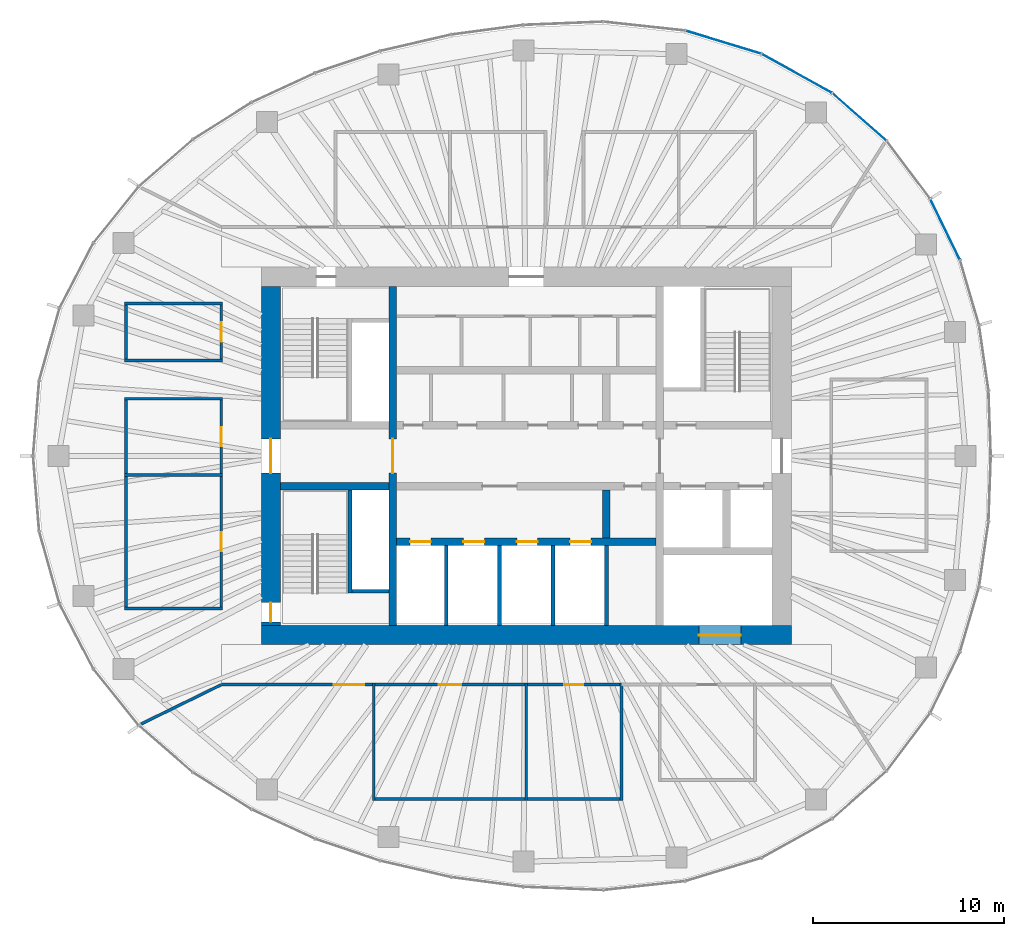
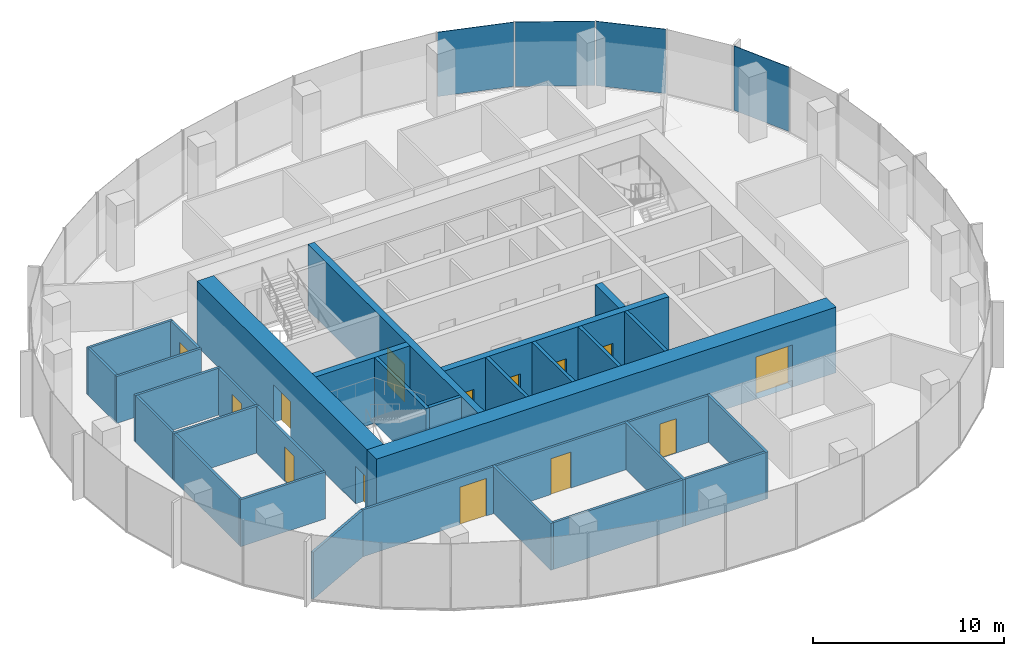
# One storey, part 8 of 11: 32 walls, 14 doors, 4 plates, 14 openings, 3 elements without a shape of their own.
"""IFC4 building model written with IfcOpenShell, lengths in metres."""

from ifc_helpers import new_model, si_unit, direction, frame, frame_2d, origin, origin_2d, place, context, subcontext, project, spatial, rectangle, extrude, material, layer, layer_set, type_object, element, fill, aggregate, save


model = new_model("IFC4")

# Units and contexts
model_context = context("Model", 3, precision=1e-05, world=origin(), true_north=direction((0.0, 1.0)))
body_context = subcontext(model_context, "Body", "Model", "MODEL_VIEW")
ifc_project = project(units=[si_unit("LENGTHUNIT", "METRE"), si_unit("AREAUNIT", "SQUARE_METRE"), si_unit("VOLUMEUNIT", "CUBIC_METRE"), si_unit("PLANEANGLEUNIT", "RADIAN"), si_unit("MASSUNIT", "GRAM", prefix="KILO")], contexts=[model_context])

# Site, building, storey
site_placement = place(None, origin())
site = spatial("IfcSite", under=ifc_project, at=site_placement, CompositionType="ELEMENT")
building_placement = place(site_placement, origin())
building = spatial("IfcBuilding", under=site, at=building_placement, Name="Ghaith Harvest Tower", CompositionType="ELEMENT")
storey_placement = place(building_placement, frame((0.0, 0.0, 283.800048828125)))
storey = spatial("IfcBuildingStorey", under=building, at=storey_placement, Name="L63", CompositionType="ELEMENT", Elevation=283.800048828125)

# Curtain wall, plate
ifc_material_1 = material(Name="Black anodised aluminium and fritted glass", Category="aluminium")
curtain_wall_type = type_object("IfcCurtainWallType", Name="CW-T CURTAIN WALL", PredefinedType="NOTDEFINED", material=ifc_material_1)
curtain_wall_1_placement = place(storey_placement, origin())
curtain_wall_1 = element("IfcCurtainWall", 1, at=curtain_wall_1_placement, inside=storey, type_object=curtain_wall_type, Name="Curtain wall CW-T bay 02 L63", PredefinedType="NOTDEFINED")
ifc_material_2 = material(Name="Glass, dark solar-control fritted double glazed unit", Category="glass")
ifc_layer_1 = layer(ifc_material_2, 0.033935546875)
ifc_layer_set_1 = layer_set([ifc_layer_1], Name="CW-T VISION PANEL")
plate_type = type_object("IfcPlateType", Name="CW-T VISION PANEL", PredefinedType="CURTAIN_PANEL", material=ifc_layer_set_1)
plate_1_placement = place(storey_placement, frame((21.9716796875, 11.878662109375, 0.079833984375), z_axis=(0.0, 0.0, 1.0), x_axis=(-0.437968365148, 0.898990384337, 0.0)))
plate_1 = element("IfcPlate", 2, at=plate_1_placement, type_object=plate_type, Name="CW-T glass unit 2 bay 02 L63", PredefinedType="CURTAIN_PANEL", context=body_context, shape_type="SweptSolid", body=[
    extrude(rectangle(XDim=3.49365234375, YDim=0.033935546875, at=origin_2d()), origin(), (0.0, 0.0, 1.0), 4.1201171875),
])
aggregate(curtain_wall_1, [plate_1])

curtain_wall_2_placement = place(storey_placement, origin())
curtain_wall_2 = element("IfcCurtainWall", 3, at=curtain_wall_2_placement, inside=storey, type_object=curtain_wall_type, Name="Curtain wall CW-T bay 03 L63", PredefinedType="NOTDEFINED")
plate_2_placement = place(storey_placement, frame((17.47509765625, 17.779541015625, 0.079833984375), z_axis=(0.0, 0.0, 1.0), x_axis=(-0.751334532416, 0.659921525941, 0.0)))
plate_2 = element("IfcPlate", 4, at=plate_2_placement, type_object=plate_type, Name="CW-T glass unit 2 bay 03 L63", PredefinedType="CURTAIN_PANEL", context=body_context, shape_type="SweptSolid", body=[
    extrude(rectangle(XDim=3.7158203125, YDim=0.033935546875, at=origin_2d()), origin(), (0.0, 0.0, 1.0), 4.1201171875),
])
aggregate(curtain_wall_2, [plate_2])

# Curtain wall, plates
curtain_wall_3_placement = place(storey_placement, origin())
curtain_wall_3 = element("IfcCurtainWall", 5, at=curtain_wall_3_placement, inside=storey, type_object=curtain_wall_type, Name="Curtain wall CW-T bay 04 L63", PredefinedType="NOTDEFINED")
plate_3_placement = place(storey_placement, frame((14.19189453125, 20.06201171875, 0.079833984375), z_axis=(0.0, 0.0, 1.0), x_axis=(-0.87456402291, 0.484910063653, 0.0)))
plate_3 = element("IfcPlate", 6, at=plate_3_placement, type_object=plate_type, Name="CW-T glass unit 1 bay 04 L63", PredefinedType="CURTAIN_PANEL", context=body_context, shape_type="SweptSolid", body=[
    extrude(rectangle(XDim=4.167724609375, YDim=0.033935546875, at=origin_2d()), origin(), (0.0, 0.0, 1.0), 4.1201171875),
])
plate_4_placement = place(storey_placement, frame((10.337158203125, 21.700439453125, 0.079833984375), z_axis=(0.0, 0.0, 1.0), x_axis=(-0.956587736124, 0.291444511181, 0.0)))
plate_4 = element("IfcPlate", 7, at=plate_4_placement, type_object=plate_type, Name="CW-T glass unit 2 bay 04 L63", PredefinedType="CURTAIN_PANEL", context=body_context, shape_type="SweptSolid", body=[
    extrude(rectangle(XDim=4.095703125, YDim=0.033935546875, at=origin_2d()), origin(), (0.0, 0.0, 1.0), 4.1201171875),
])
aggregate(curtain_wall_3, [plate_3, plate_4])

# Wall, opening, door
ifc_material_3 = material(Name="Concrete C50/60", Category="concrete")
ifc_layer_2 = layer(ifc_material_3, 1.0)
ifc_layer_set_2 = layer_set([ifc_layer_2], Name="CORE WALL CW1000")
wall_type_1 = type_object("IfcWallType", Name="CORE WALL CW1000", PredefinedType="SHEAR", material=ifc_layer_set_2)
wall_1_placement = place(storey_placement, frame((-13.89990234375, -9.39990234375, 0.0), z_axis=(0.0, 0.0, 1.0), x_axis=(1.0, 0.0, 0.0)))
wall_1 = element("IfcWall", 8, at=wall_1_placement, inside=storey, type_object=wall_type_1, Name="Core wall S L63", PredefinedType="SHEAR", context=body_context, shape_type="SweptSolid", body=[
    extrude(rectangle(XDim=27.7998046875, YDim=1.0, at=frame_2d((13.89990234375, 0.0))), origin(), (0.0, 0.0, 1.0), 4.199951171875),
])
opening_1_placement = place(wall_1_placement, frame((22.949951171875, 0.0, 0.0)))
opening_1 = element("IfcOpeningElement", 9, at=opening_1_placement, cuts=wall_1, Name="Opening 63-027", PredefinedType="OPENING", context=body_context, shape_type="SweptSolid", body=[
    extrude(rectangle(XDim=2.199951171875, YDim=2.699951171875, at=frame_2d((1.10009765625, 1.35009765625))), frame((0.0, 0.510009765625, 0.0), z_axis=(0.0, -1.0, 0.0), x_axis=(1.0, 0.0, 0.0)), (0.0, 0.0, 1.0), 1.02001953125),
])
ifc_material_4 = material(Name="Steel fire door", Category="steel")
door_type_1 = type_object("IfcDoorType", Name="LD3 LANDING 2200x2700", OperationType="DOUBLE_DOOR_SLIDING", PredefinedType="DOOR", material=ifc_material_4)
door_1_placement = place(opening_1_placement, origin())
door_1 = element("IfcDoor", 10, at=door_1_placement, inside=storey, type_object=door_type_1, Name="Landing door, goods lift GL1", OperationType="DOUBLE_DOOR_SLIDING", OverallHeight=2.699951171875, OverallWidth=2.199951171875, PredefinedType="DOOR", context=body_context, shape_type="SweptSolid", body=[
    extrude(rectangle(XDim=2.199951171875, YDim=2.699951171875, at=frame_2d((1.10009765625, 1.35009765625))), frame((0.0, 0.02490234375, 0.0), z_axis=(0.0, -1.0, 0.0), x_axis=(1.0, 0.0, 0.0)), (0.0, 0.0, 1.0), 0.050048828125),
])
fill(opening_1, door_1)

# Wall, openings, doors
wall_2_placement = place(storey_placement, frame((-13.39990234375, 8.89990234375, 0.0), z_axis=(0.0, 0.0, 1.0), x_axis=(0.0, -1.0, 0.0)))
wall_2 = element("IfcWall", 11, at=wall_2_placement, inside=storey, type_object=wall_type_1, Name="Core wall W L63", PredefinedType="SHEAR", context=body_context, shape_type="SweptSolid", body=[
    extrude(rectangle(XDim=17.7998046875, YDim=1.0, at=frame_2d((8.89990234375, 0.0))), origin(), (0.0, 0.0, 1.0), 4.199951171875),
])
opening_2_placement = place(wall_2_placement, frame((8.0, 0.0, 0.0)))
opening_2 = element("IfcOpeningElement", 12, at=opening_2_placement, cuts=wall_2, Name="Opening 63-001", PredefinedType="OPENING", context=body_context, shape_type="SweptSolid", body=[
    extrude(rectangle(XDim=1.800048828125, YDim=2.39990234375, at=frame_2d((0.89990234375, 1.199951171875))), frame((0.0, 0.510009765625, 0.0), z_axis=(0.0, -1.0, 0.0), x_axis=(1.0, 0.0, 0.0)), (0.0, 0.0, 1.0), 1.02001953125),
])
opening_3_placement = place(wall_2_placement, frame((16.60009765625, 0.0, 0.0)))
opening_3 = element("IfcOpeningElement", 13, at=opening_3_placement, cuts=wall_2, Name="Opening 63-006", PredefinedType="OPENING", context=body_context, shape_type="SweptSolid", body=[
    extrude(rectangle(XDim=1.0, YDim=2.39990234375, at=frame_2d((0.5, 1.199951171875))), frame((0.0, 0.510009765625, 0.0), z_axis=(0.0, -1.0, 0.0), x_axis=(1.0, 0.0, 0.0)), (0.0, 0.0, 1.0), 1.02001953125),
])
ifc_material_5 = material(Name="Steel fire door", Category="steel")
door_type_2 = type_object("IfcDoorType", Name="D3 FD90 1000x2400", OperationType="SINGLE_SWING_LEFT", PredefinedType="DOOR", material=ifc_material_5)
door_2_placement = place(opening_3_placement, origin())
door_2 = element("IfcDoor", 14, at=door_2_placement, inside=storey, type_object=door_type_2, Name="Stair ST3 door", OperationType="SINGLE_SWING_RIGHT", OverallHeight=2.39990234375, OverallWidth=1.0, PredefinedType="DOOR", context=body_context, shape_type="SweptSolid", body=[
    extrude(rectangle(XDim=1.0, YDim=2.39990234375, at=frame_2d((0.5, 1.199951171875))), frame((0.0, 0.02490234375, 0.0), z_axis=(0.0, -1.0, 0.0), x_axis=(1.0, 0.0, 0.0)), (0.0, 0.0, 1.0), 0.050048828125),
])
fill(opening_3, door_2)
ifc_material_6 = material(Name="Steel fire door", Category="steel")
door_type_3 = type_object("IfcDoorType", Name="D4 FD90 PAIR 1800x2400", OperationType="DOUBLE_DOOR_SINGLE_SWING", PredefinedType="DOOR", material=ifc_material_6)
door_3_placement = place(opening_2_placement, origin())
door_3 = element("IfcDoor", 15, at=door_3_placement, inside=storey, type_object=door_type_3, Name="West lobby doors", OperationType="DOUBLE_DOOR_SINGLE_SWING", OverallHeight=2.39990234375, OverallWidth=1.800048828125, PredefinedType="DOOR", context=body_context, shape_type="SweptSolid", body=[
    extrude(rectangle(XDim=1.800048828125, YDim=2.39990234375, at=frame_2d((0.89990234375, 1.199951171875))), frame((0.0, 0.02490234375, 0.0), z_axis=(0.0, -1.0, 0.0), x_axis=(1.0, 0.0, 0.0)), (0.0, 0.0, 1.0), 0.050048828125),
])
fill(opening_2, door_3)

# Walls
ifc_material_7 = material(Name="Concrete blockwork, 2-hour", Category="masonry")
ifc_layer_3 = layer(ifc_material_7, 0.199951171875)
ifc_layer_set_3 = layer_set([ifc_layer_3], Name="LIFT SHAFT WALL 200")
wall_type_2 = type_object("IfcWallType", Name="LIFT SHAFT WALL 200", PredefinedType="PARTITIONING", material=ifc_layer_set_3)
for number, where, z_axis, x_axis, name in (
    (16, (-4.199951171875, -4.699951171875, 0.0), (0.0, 0.0, 1.0), (0.0, -1.0, 0.0), "Lift shaft wall L63"),
    (17, (-1.39990234375, -4.699951171875, 0.0), (0.0, 0.0, 1.0), (0.0, -1.0, 0.0), "Lift shaft wall L63"),
    (18, (1.39990234375, -4.699951171875, 0.0), (0.0, 0.0, 1.0), (0.0, -1.0, 0.0), "Lift shaft wall L63"),
    (19, (4.199951171875, -4.699951171875, 0.0), (0.0, 0.0, 1.0), (0.0, -1.0, 0.0), "Lift shaft wall L63"),
):
    element("IfcWall", number, at=place(storey_placement, frame(where, z_axis=z_axis, x_axis=x_axis)), inside=storey, type_object=wall_type_2, Name=name, PredefinedType="PARTITIONING", context=body_context, shape_type="SweptSolid", body=[
        extrude(rectangle(XDim=4.199951171875, YDim=0.199951171875, at=frame_2d((2.10009765625, 0.0))), origin(), (0.0, 0.0, 1.0), 4.199951171875),
    ])
ifc_material_8 = material(Name="Gypsum board on steel studs", Category="steel")
ifc_layer_4 = layer(ifc_material_8, 0.14990234375)
ifc_layer_set_4 = layer_set([ifc_layer_4], Name="PARTITION 150")
wall_type_3 = type_object("IfcWallType", Name="PARTITION 150", PredefinedType="PARTITIONING", material=ifc_layer_set_4)
for number, where, z_axis, x_axis, name in (
    (20, (-8.0, -11.925048828125, 0.0), (0.0, 0.0, 1.0), (0.0, -1.0, 0.0), "Partition L63 row S1 cross wall 1"),
    (21, (0.0, -11.925048828125, 0.0), (0.0, 0.0, 1.0), (0.0, -1.0, 0.0), "Partition L63 row S1 cross wall 2"),
    (22, (5.0, -11.925048828125, 0.0), (0.0, 0.0, 1.0), (0.0, -1.0, 0.0), "Partition L63 row S1 cross wall 3"),
):
    element("IfcWall", number, at=place(storey_placement, frame(where, z_axis=z_axis, x_axis=x_axis)), inside=storey, type_object=wall_type_3, Name=name, PredefinedType="PARTITIONING", context=body_context, shape_type="SweptSolid", body=[
        extrude(rectangle(XDim=6.14990234375, YDim=0.14990234375, at=frame_2d((3.074951171875, 0.0))), origin(), (0.0, 0.0, 1.0), 3.0),
    ])

# Wall, opening, door
wall_3_placement = place(storey_placement, frame((-7.925048828125, -12.0, 0.0), z_axis=(0.0, 0.0, 1.0), x_axis=(1.0, 0.0, 0.0)))
wall_3 = element("IfcWall", 23, at=wall_3_placement, inside=storey, type_object=wall_type_3, Name="Partition L63-01", PredefinedType="PARTITIONING", context=body_context, shape_type="SweptSolid", body=[
    extrude(rectangle(XDim=7.85009765625, YDim=0.14990234375, at=frame_2d((3.925048828125, 0.0))), origin(), (0.0, 0.0, 1.0), 3.0),
])
opening_4_placement = place(wall_3_placement, frame((3.324951171875, 0.0, 0.0)))
opening_4 = element("IfcOpeningElement", 24, at=opening_4_placement, cuts=wall_3, Name="Opening 63-028", PredefinedType="OPENING", context=body_context, shape_type="SweptSolid", body=[
    extrude(rectangle(XDim=1.199951171875, YDim=2.300048828125, at=frame_2d((0.60009765625, 1.14990234375))), frame((0.0, 0.0849609375, 0.0), z_axis=(0.0, -1.0, 0.0), x_axis=(1.0, 0.0, 0.0)), (0.0, 0.0, 1.0), 0.169921875),
])
ifc_material_9 = material(Name="Timber door with vision panel", Category="wood")
door_type_4 = type_object("IfcDoorType", Name="D15 LABORATORY 1200x2300", OperationType="SINGLE_SWING_LEFT", PredefinedType="DOOR", material=ifc_material_9)
door_4_placement = place(opening_4_placement, origin())
door_4 = element("IfcDoor", 25, at=door_4_placement, inside=storey, type_object=door_type_4, Name="Breeding laboratory door", OperationType="SINGLE_SWING_LEFT", OverallHeight=2.300048828125, OverallWidth=1.199951171875, PredefinedType="DOOR", context=body_context, shape_type="SweptSolid", body=[
    extrude(rectangle(XDim=1.199951171875, YDim=2.300048828125, at=frame_2d((0.60009765625, 1.14990234375))), frame((0.0, 0.02490234375, 0.0), z_axis=(0.0, -1.0, 0.0), x_axis=(1.0, 0.0, 0.0)), (0.0, 0.0, 1.0), 0.050048828125),
])
fill(opening_4, door_4)

# Wall
wall_4_placement = place(storey_placement, frame((-7.925048828125, -18.0, 0.0), z_axis=(0.0, 0.0, 1.0), x_axis=(1.0, 0.0, 0.0)))
element("IfcWall", 26, at=wall_4_placement, inside=storey, type_object=wall_type_3, Name="Partition L63-01", PredefinedType="PARTITIONING", context=body_context, shape_type="SweptSolid", body=[
    extrude(rectangle(XDim=7.85009765625, YDim=0.14990234375, at=frame_2d((3.925048828125, 0.0))), origin(), (0.0, 0.0, 1.0), 3.0),
])

# Wall, opening, door
wall_5_placement = place(storey_placement, frame((0.074951171875, -12.0, 0.0), z_axis=(0.0, 0.0, 1.0), x_axis=(1.0, 0.0, 0.0)))
wall_5 = element("IfcWall", 27, at=wall_5_placement, inside=storey, type_object=wall_type_3, Name="Partition L63-02", PredefinedType="PARTITIONING", context=body_context, shape_type="SweptSolid", body=[
    extrude(rectangle(XDim=4.85009765625, YDim=0.14990234375, at=frame_2d((2.425048828125, 0.0))), origin(), (0.0, 0.0, 1.0), 3.0),
])
opening_5_placement = place(wall_5_placement, frame((1.925048828125, 0.0, 0.0)))
opening_5 = element("IfcOpeningElement", 28, at=opening_5_placement, cuts=wall_5, Name="Opening 63-029", PredefinedType="OPENING", context=body_context, shape_type="SweptSolid", body=[
    extrude(rectangle(XDim=1.0, YDim=2.199951171875, at=frame_2d((0.5, 1.10009765625))), frame((0.0, 0.0849609375, 0.0), z_axis=(0.0, -1.0, 0.0), x_axis=(1.0, 0.0, 0.0)), (0.0, 0.0, 1.0), 0.169921875),
])
ifc_material_10 = material(Name="Timber door", Category="wood")
door_type_5 = type_object("IfcDoorType", Name="D1 SINGLE 1000x2200", OperationType="SINGLE_SWING_LEFT", PredefinedType="DOOR", material=ifc_material_10)
door_5_placement = place(opening_5_placement, origin())
door_5 = element("IfcDoor", 29, at=door_5_placement, inside=storey, type_object=door_type_5, Name="Crossing room door", OperationType="SINGLE_SWING_LEFT", OverallHeight=2.199951171875, OverallWidth=1.0, PredefinedType="DOOR", context=body_context, shape_type="SweptSolid", body=[
    extrude(rectangle(XDim=1.0, YDim=2.199951171875, at=frame_2d((0.5, 1.10009765625))), frame((0.0, 0.02490234375, 0.0), z_axis=(0.0, -1.0, 0.0), x_axis=(1.0, 0.0, 0.0)), (0.0, 0.0, 1.0), 0.050048828125),
])
fill(opening_5, door_5)

# Walls
wall_6_placement = place(storey_placement, frame((0.074951171875, -18.0, 0.0), z_axis=(0.0, 0.0, 1.0), x_axis=(1.0, 0.0, 0.0)))
element("IfcWall", 30, at=wall_6_placement, inside=storey, type_object=wall_type_3, Name="Partition L63-02", PredefinedType="PARTITIONING", context=body_context, shape_type="SweptSolid", body=[
    extrude(rectangle(XDim=4.85009765625, YDim=0.14990234375, at=frame_2d((2.425048828125, 0.0))), origin(), (0.0, 0.0, 1.0), 3.0),
])
for number, where, z_axis, x_axis, name in (
    (31, (-15.925048828125, -8.0, 0.0), (0.0, 0.0, 1.0), (-1.0, 0.0, 0.0), "Partition L63 row W3 cross wall 1"),
    (32, (-15.925048828125, -1.0, 0.0), (0.0, 0.0, 1.0), (-1.0, 0.0, 0.0), "Partition L63 row W3 cross wall 2"),
    (33, (-15.925048828125, 3.0, 0.0), (0.0, 0.0, 1.0), (-1.0, 0.0, 0.0), "Partition L63 row W3 cross wall 3"),
):
    element("IfcWall", number, at=place(storey_placement, frame(where, z_axis=z_axis, x_axis=x_axis)), inside=storey, type_object=wall_type_3, Name=name, PredefinedType="PARTITIONING", context=body_context, shape_type="SweptSolid", body=[
        extrude(rectangle(XDim=5.14990234375, YDim=0.14990234375, at=frame_2d((2.574951171875, 0.0))), origin(), (0.0, 0.0, 1.0), 3.0),
    ])

# Wall, opening, door
wall_7_placement = place(storey_placement, frame((-16.0, -7.925048828125, 0.0), z_axis=(0.0, 0.0, 1.0), x_axis=(0.0, 1.0, 0.0)))
wall_7 = element("IfcWall", 34, at=wall_7_placement, inside=storey, type_object=wall_type_3, Name="Partition L63-04", PredefinedType="PARTITIONING", context=body_context, shape_type="SweptSolid", body=[
    extrude(rectangle(XDim=6.85009765625, YDim=0.14990234375, at=frame_2d((3.425048828125, 0.0))), origin(), (0.0, 0.0, 1.0), 3.0),
])
opening_6_placement = place(wall_7_placement, frame((2.925048828125, 0.0, 0.0)))
opening_6 = element("IfcOpeningElement", 35, at=opening_6_placement, cuts=wall_7, Name="Opening 63-031", PredefinedType="OPENING", context=body_context, shape_type="SweptSolid", body=[
    extrude(rectangle(XDim=1.0, YDim=2.199951171875, at=frame_2d((0.5, 1.10009765625))), frame((0.0, 0.0849609375, 0.0), z_axis=(0.0, -1.0, 0.0), x_axis=(1.0, 0.0, 0.0)), (0.0, 0.0, 1.0), 0.169921875),
])
door_6_placement = place(opening_6_placement, origin())
door_6 = element("IfcDoor", 36, at=door_6_placement, inside=storey, type_object=door_type_5, Name="Phenotyping room door", OperationType="SINGLE_SWING_LEFT", OverallHeight=2.199951171875, OverallWidth=1.0, PredefinedType="DOOR", context=body_context, shape_type="SweptSolid", body=[
    extrude(rectangle(XDim=1.0, YDim=2.199951171875, at=frame_2d((0.5, 1.10009765625))), frame((0.0, 0.02490234375, 0.0), z_axis=(0.0, -1.0, 0.0), x_axis=(1.0, 0.0, 0.0)), (0.0, 0.0, 1.0), 0.050048828125),
])
fill(opening_6, door_6)

# Wall
wall_8_placement = place(storey_placement, frame((-21.0, -7.925048828125, 0.0), z_axis=(0.0, 0.0, 1.0), x_axis=(0.0, 1.0, 0.0)))
element("IfcWall", 37, at=wall_8_placement, inside=storey, type_object=wall_type_3, Name="Partition L63-04", PredefinedType="PARTITIONING", context=body_context, shape_type="SweptSolid", body=[
    extrude(rectangle(XDim=6.85009765625, YDim=0.14990234375, at=frame_2d((3.425048828125, 0.0))), origin(), (0.0, 0.0, 1.0), 3.0),
])

# Wall, opening, door
wall_9_placement = place(storey_placement, frame((-16.0, -0.925048828125, 0.0), z_axis=(0.0, 0.0, 1.0), x_axis=(0.0, 1.0, 0.0)))
wall_9 = element("IfcWall", 38, at=wall_9_placement, inside=storey, type_object=wall_type_3, Name="Partition L63-05", PredefinedType="PARTITIONING", context=body_context, shape_type="SweptSolid", body=[
    extrude(rectangle(XDim=3.85009765625, YDim=0.14990234375, at=frame_2d((1.925048828125, 0.0))), origin(), (0.0, 0.0, 1.0), 3.0),
])
opening_7_placement = place(wall_9_placement, frame((1.425048828125, 0.0, 0.0)))
opening_7 = element("IfcOpeningElement", 39, at=opening_7_placement, cuts=wall_9, Name="Opening 63-032", PredefinedType="OPENING", context=body_context, shape_type="SweptSolid", body=[
    extrude(rectangle(XDim=1.0, YDim=2.199951171875, at=frame_2d((0.5, 1.10009765625))), frame((0.0, 0.0849609375, 0.0), z_axis=(0.0, -1.0, 0.0), x_axis=(1.0, 0.0, 0.0)), (0.0, 0.0, 1.0), 0.169921875),
])
door_7_placement = place(opening_7_placement, origin())
door_7 = element("IfcDoor", 40, at=door_7_placement, inside=storey, type_object=door_type_5, Name="Imaging room door", OperationType="SINGLE_SWING_LEFT", OverallHeight=2.199951171875, OverallWidth=1.0, PredefinedType="DOOR", context=body_context, shape_type="SweptSolid", body=[
    extrude(rectangle(XDim=1.0, YDim=2.199951171875, at=frame_2d((0.5, 1.10009765625))), frame((0.0, 0.02490234375, 0.0), z_axis=(0.0, -1.0, 0.0), x_axis=(1.0, 0.0, 0.0)), (0.0, 0.0, 1.0), 0.050048828125),
])
fill(opening_7, door_7)

# Walls
wall_10_placement = place(storey_placement, frame((-21.0, -0.925048828125, 0.0), z_axis=(0.0, 0.0, 1.0), x_axis=(0.0, 1.0, 0.0)))
element("IfcWall", 41, at=wall_10_placement, inside=storey, type_object=wall_type_3, Name="Partition L63-05", PredefinedType="PARTITIONING", context=body_context, shape_type="SweptSolid", body=[
    extrude(rectangle(XDim=3.85009765625, YDim=0.14990234375, at=frame_2d((1.925048828125, 0.0))), origin(), (0.0, 0.0, 1.0), 3.0),
])
for number, where, z_axis, x_axis, name in (
    (42, (-15.925048828125, 5.0, 0.0), (0.0, 0.0, 1.0), (-1.0, 0.0, 0.0), "Partition L63 row W7 cross wall 1"),
    (43, (-15.925048828125, 8.0, 0.0), (0.0, 0.0, 1.0), (-1.0, 0.0, 0.0), "Partition L63 row W7 cross wall 2"),
):
    element("IfcWall", number, at=place(storey_placement, frame(where, z_axis=z_axis, x_axis=x_axis)), inside=storey, type_object=wall_type_3, Name=name, PredefinedType="PARTITIONING", context=body_context, shape_type="SweptSolid", body=[
        extrude(rectangle(XDim=5.14990234375, YDim=0.14990234375, at=frame_2d((2.574951171875, 0.0))), origin(), (0.0, 0.0, 1.0), 3.0),
    ])

# Wall, opening, door
wall_11_placement = place(storey_placement, frame((-16.0, 5.074951171875, 0.0), z_axis=(0.0, 0.0, 1.0), x_axis=(0.0, 1.0, 0.0)))
wall_11 = element("IfcWall", 44, at=wall_11_placement, inside=storey, type_object=wall_type_3, Name="Partition L63-11", PredefinedType="PARTITIONING", context=body_context, shape_type="SweptSolid", body=[
    extrude(rectangle(XDim=2.85009765625, YDim=0.14990234375, at=frame_2d((1.425048828125, 0.0))), origin(), (0.0, 0.0, 1.0), 3.0),
])
opening_8_placement = place(wall_11_placement, frame((0.925048828125, 0.0, 0.0)))
opening_8 = element("IfcOpeningElement", 45, at=opening_8_placement, cuts=wall_11, Name="Opening 63-038", PredefinedType="OPENING", context=body_context, shape_type="SweptSolid", body=[
    extrude(rectangle(XDim=1.0, YDim=2.199951171875, at=frame_2d((0.5, 1.10009765625))), frame((0.0, 0.0849609375, 0.0), z_axis=(0.0, -1.0, 0.0), x_axis=(1.0, 0.0, 0.0)), (0.0, 0.0, 1.0), 0.169921875),
])
door_8_placement = place(opening_8_placement, origin())
door_8 = element("IfcDoor", 46, at=door_8_placement, inside=storey, type_object=door_type_5, Name="Seed counting room door", OperationType="SINGLE_SWING_LEFT", OverallHeight=2.199951171875, OverallWidth=1.0, PredefinedType="DOOR", context=body_context, shape_type="SweptSolid", body=[
    extrude(rectangle(XDim=1.0, YDim=2.199951171875, at=frame_2d((0.5, 1.10009765625))), frame((0.0, 0.02490234375, 0.0), z_axis=(0.0, -1.0, 0.0), x_axis=(1.0, 0.0, 0.0)), (0.0, 0.0, 1.0), 0.050048828125),
])
fill(opening_8, door_8)

# Walls
wall_12_placement = place(storey_placement, frame((-21.0, 5.074951171875, 0.0), z_axis=(0.0, 0.0, 1.0), x_axis=(0.0, 1.0, 0.0)))
element("IfcWall", 47, at=wall_12_placement, inside=storey, type_object=wall_type_3, Name="Partition L63-11", PredefinedType="PARTITIONING", context=body_context, shape_type="SweptSolid", body=[
    extrude(rectangle(XDim=2.85009765625, YDim=0.14990234375, at=frame_2d((1.425048828125, 0.0))), origin(), (0.0, 0.0, 1.0), 3.0),
])
wall_13_placement = place(storey_placement, frame((-16.017822265625, -12.0087890625, 0.0), z_axis=(0.0, 0.0, 1.0), x_axis=(-0.897771840996, -0.440460805879, 0.0)))
element("IfcWall", 48, at=wall_13_placement, inside=storey, type_object=wall_type_3, Name="Partition L63 zone division", PredefinedType="PARTITIONING", context=body_context, shape_type="SweptSolid", body=[
    extrude(rectangle(XDim=4.66552734375, YDim=0.14990234375, at=frame_2d((2.332763671875, 0.0))), origin(), (0.0, 0.0, 1.0), 3.0),
])

# Wall, opening, door
wall_14_placement = place(storey_placement, frame((-16.0, -12.0, 0.0), z_axis=(0.0, 0.0, 1.0), x_axis=(1.0, 0.0, 0.0)))
wall_14 = element("IfcWall", 49, at=wall_14_placement, inside=storey, type_object=wall_type_3, Name="Partition L63 zone enclosure", PredefinedType="PARTITIONING", context=body_context, shape_type="SweptSolid", body=[
    extrude(rectangle(XDim=8.0, YDim=0.14990234375, at=frame_2d((4.0, 0.0))), origin(), (0.0, 0.0, 1.0), 3.0),
])
opening_9_placement = place(wall_14_placement, frame((5.89990234375, 0.0, 0.0)))
opening_9 = element("IfcOpeningElement", 50, at=opening_9_placement, cuts=wall_14, Name="Opening 63-040", PredefinedType="OPENING", context=body_context, shape_type="SweptSolid", body=[
    extrude(rectangle(XDim=1.60009765625, YDim=2.39990234375, at=frame_2d((0.800048828125, 1.199951171875))), frame((0.0, 0.0849609375, 0.0), z_axis=(0.0, -1.0, 0.0), x_axis=(1.0, 0.0, 0.0)), (0.0, 0.0, 1.0), 0.169921875),
])
ifc_material_11 = material(Name="Timber door", Category="wood")
door_type_6 = type_object("IfcDoorType", Name="D2 PAIR 1600x2400", OperationType="DOUBLE_DOOR_SINGLE_SWING", PredefinedType="DOOR", material=ifc_material_11)
door_9_placement = place(opening_9_placement, origin())
door_9 = element("IfcDoor", 51, at=door_9_placement, inside=storey, type_object=door_type_6, Name="Breeding growing area south door", OperationType="DOUBLE_DOOR_SINGLE_SWING", OverallHeight=2.39990234375, OverallWidth=1.60009765625, PredefinedType="DOOR", context=body_context, shape_type="SweptSolid", body=[
    extrude(rectangle(XDim=1.60009765625, YDim=2.39990234375, at=frame_2d((0.800048828125, 1.199951171875))), frame((0.0, 0.02490234375, 0.0), z_axis=(0.0, -1.0, 0.0), x_axis=(1.0, 0.0, 0.0)), (0.0, 0.0, 1.0), 0.050048828125),
])
fill(opening_9, door_9)

ifc_material_12 = material(Name="Concrete C70/85", Category="concrete")
ifc_layer_5 = layer(ifc_material_12, 0.39990234375)
ifc_layer_set_5 = layer_set([ifc_layer_5], Name="SHAFT WALL 400")
wall_type_4 = type_object("IfcWallType", Name="SHAFT WALL 400", PredefinedType="SHEAR", material=ifc_layer_set_5)
wall_15_placement = place(storey_placement, frame((-7.0, -8.89990234375, 0.0), z_axis=(0.0, 0.0, 1.0), x_axis=(0.0, 1.0, 0.0)))
wall_15 = element("IfcWall", 52, at=wall_15_placement, inside=storey, type_object=wall_type_4, Name="Shaft wall W7W L63", PredefinedType="SHEAR", context=body_context, shape_type="SweptSolid", body=[
    extrude(rectangle(XDim=17.7998046875, YDim=0.39990234375, at=frame_2d((8.89990234375, 0.0))), origin(), (0.0, 0.0, 1.0), 4.199951171875),
])
opening_10_placement = place(wall_15_placement, frame((8.0, 0.0, 0.0)))
opening_10 = element("IfcOpeningElement", 53, at=opening_10_placement, cuts=wall_15, Name="Opening 63-003", PredefinedType="OPENING", context=body_context, shape_type="SweptSolid", body=[
    extrude(rectangle(XDim=1.800048828125, YDim=2.39990234375, at=frame_2d((0.89990234375, 1.199951171875))), frame((0.0, 0.2099609375, 0.0), z_axis=(0.0, -1.0, 0.0), x_axis=(1.0, 0.0, 0.0)), (0.0, 0.0, 1.0), 0.419921875),
])
door_10_placement = place(opening_10_placement, origin())
door_10 = element("IfcDoor", 54, at=door_10_placement, inside=storey, type_object=door_type_3, Name="Lift lobby doors, west", OperationType="DOUBLE_DOOR_SINGLE_SWING", OverallHeight=2.39990234375, OverallWidth=1.800048828125, PredefinedType="DOOR", context=body_context, shape_type="SweptSolid", body=[
    extrude(rectangle(XDim=1.800048828125, YDim=2.39990234375, at=frame_2d((0.89990234375, 1.199951171875))), frame((0.0, 0.02490234375, 0.0), z_axis=(0.0, -1.0, 0.0), x_axis=(1.0, 0.0, 0.0)), (0.0, 0.0, 1.0), 0.050048828125),
])
fill(opening_10, door_10)

# Wall, openings, doors
wall_16_placement = place(storey_placement, frame((-6.800048828125, -4.5, 0.0), z_axis=(0.0, 0.0, 1.0), x_axis=(1.0, 0.0, 0.0)))
wall_16 = element("IfcWall", 55, at=wall_16_placement, inside=storey, type_object=wall_type_4, Name="Shaft wall BS L63", PredefinedType="SHEAR", context=body_context, shape_type="SweptSolid", body=[
    extrude(rectangle(XDim=13.60009765625, YDim=0.39990234375, at=frame_2d((6.800048828125, 0.0))), origin(), (0.0, 0.0, 1.0), 4.199951171875),
])
opening_11_placement = place(wall_16_placement, frame((0.699951171875, 0.0, 0.0)))
opening_11 = element("IfcOpeningElement", 56, at=opening_11_placement, cuts=wall_16, Name="Opening 63-021", PredefinedType="OPENING", context=body_context, shape_type="SweptSolid", body=[
    extrude(rectangle(XDim=1.10009765625, YDim=2.39990234375, at=frame_2d((0.550048828125, 1.199951171875))), frame((0.0, 0.2099609375, 0.0), z_axis=(0.0, -1.0, 0.0), x_axis=(1.0, 0.0, 0.0)), (0.0, 0.0, 1.0), 0.419921875),
])
opening_12_placement = place(wall_16_placement, frame((3.5, 0.0, 0.0)))
opening_12 = element("IfcOpeningElement", 57, at=opening_12_placement, cuts=wall_16, Name="Opening 63-022", PredefinedType="OPENING", context=body_context, shape_type="SweptSolid", body=[
    extrude(rectangle(XDim=1.10009765625, YDim=2.39990234375, at=frame_2d((0.550048828125, 1.199951171875))), frame((0.0, 0.2099609375, 0.0), z_axis=(0.0, -1.0, 0.0), x_axis=(1.0, 0.0, 0.0)), (0.0, 0.0, 1.0), 0.419921875),
])
opening_13_placement = place(wall_16_placement, frame((6.300048828125, 0.0, 0.0)))
opening_13 = element("IfcOpeningElement", 58, at=opening_13_placement, cuts=wall_16, Name="Opening 63-023", PredefinedType="OPENING", context=body_context, shape_type="SweptSolid", body=[
    extrude(rectangle(XDim=1.10009765625, YDim=2.39990234375, at=frame_2d((0.550048828125, 1.199951171875))), frame((0.0, 0.2099609375, 0.0), z_axis=(0.0, -1.0, 0.0), x_axis=(1.0, 0.0, 0.0)), (0.0, 0.0, 1.0), 0.419921875),
])
opening_14_placement = place(wall_16_placement, frame((9.10009765625, 0.0, 0.0)))
opening_14 = element("IfcOpeningElement", 59, at=opening_14_placement, cuts=wall_16, Name="Opening 63-024", PredefinedType="OPENING", context=body_context, shape_type="SweptSolid", body=[
    extrude(rectangle(XDim=1.10009765625, YDim=2.39990234375, at=frame_2d((0.550048828125, 1.199951171875))), frame((0.0, 0.2099609375, 0.0), z_axis=(0.0, -1.0, 0.0), x_axis=(1.0, 0.0, 0.0)), (0.0, 0.0, 1.0), 0.419921875),
])
ifc_material_13 = material(Name="Steel fire door", Category="steel")
door_type_7 = type_object("IfcDoorType", Name="LD1 LANDING 1100x2400", OperationType="DOUBLE_DOOR_SLIDING", PredefinedType="DOOR", material=ifc_material_13)
door_11_placement = place(opening_11_placement, origin())
door_11 = element("IfcDoor", 60, at=door_11_placement, inside=storey, type_object=door_type_7, Name="Landing door, lift TR1", OperationType="DOUBLE_DOOR_SLIDING", OverallHeight=2.39990234375, OverallWidth=1.10009765625, PredefinedType="DOOR", context=body_context, shape_type="SweptSolid", body=[
    extrude(rectangle(XDim=1.10009765625, YDim=2.39990234375, at=frame_2d((0.550048828125, 1.199951171875))), frame((0.0, 0.02490234375, 0.0), z_axis=(0.0, -1.0, 0.0), x_axis=(1.0, 0.0, 0.0)), (0.0, 0.0, 1.0), 0.050048828125),
])
fill(opening_11, door_11)
door_12_placement = place(opening_12_placement, origin())
door_12 = element("IfcDoor", 61, at=door_12_placement, inside=storey, type_object=door_type_7, Name="Landing door, lift TR2", OperationType="DOUBLE_DOOR_SLIDING", OverallHeight=2.39990234375, OverallWidth=1.10009765625, PredefinedType="DOOR", context=body_context, shape_type="SweptSolid", body=[
    extrude(rectangle(XDim=1.10009765625, YDim=2.39990234375, at=frame_2d((0.550048828125, 1.199951171875))), frame((0.0, 0.02490234375, 0.0), z_axis=(0.0, -1.0, 0.0), x_axis=(1.0, 0.0, 0.0)), (0.0, 0.0, 1.0), 0.050048828125),
])
fill(opening_12, door_12)
door_13_placement = place(opening_13_placement, origin())
door_13 = element("IfcDoor", 62, at=door_13_placement, inside=storey, type_object=door_type_7, Name="Landing door, lift TR3", OperationType="DOUBLE_DOOR_SLIDING", OverallHeight=2.39990234375, OverallWidth=1.10009765625, PredefinedType="DOOR", context=body_context, shape_type="SweptSolid", body=[
    extrude(rectangle(XDim=1.10009765625, YDim=2.39990234375, at=frame_2d((0.550048828125, 1.199951171875))), frame((0.0, 0.02490234375, 0.0), z_axis=(0.0, -1.0, 0.0), x_axis=(1.0, 0.0, 0.0)), (0.0, 0.0, 1.0), 0.050048828125),
])
fill(opening_13, door_13)
door_14_placement = place(opening_14_placement, origin())
door_14 = element("IfcDoor", 63, at=door_14_placement, inside=storey, type_object=door_type_7, Name="Landing door, lift TR4", OperationType="DOUBLE_DOOR_SLIDING", OverallHeight=2.39990234375, OverallWidth=1.10009765625, PredefinedType="DOOR", context=body_context, shape_type="SweptSolid", body=[
    extrude(rectangle(XDim=1.10009765625, YDim=2.39990234375, at=frame_2d((0.550048828125, 1.199951171875))), frame((0.0, 0.02490234375, 0.0), z_axis=(0.0, -1.0, 0.0), x_axis=(1.0, 0.0, 0.0)), (0.0, 0.0, 1.0), 0.050048828125),
])
fill(opening_14, door_14)

# Walls
wall_17_placement = place(storey_placement, frame((-12.89990234375, -1.60009765625, 0.0), z_axis=(0.0, 0.0, 1.0), x_axis=(1.0, 0.0, 0.0)))
element("IfcWall", 64, at=wall_17_placement, inside=storey, type_object=wall_type_4, Name="Shaft wall WS L63", PredefinedType="SHEAR", context=body_context, shape_type="SweptSolid", body=[
    extrude(rectangle(XDim=5.699951171875, YDim=0.39990234375, at=frame_2d((2.85009765625, 0.0))), origin(), (0.0, 0.0, 1.0), 4.199951171875),
])
wall_18_placement = place(storey_placement, frame((4.199951171875, -4.300048828125, 0.0), z_axis=(0.0, 0.0, 1.0), x_axis=(0.0, 1.0, 0.0)))
element("IfcWall", 65, at=wall_18_placement, inside=storey, type_object=wall_type_4, Name="Shaft wall DS4 L63", PredefinedType="SHEAR", context=body_context, shape_type="SweptSolid", body=[
    extrude(rectangle(XDim=2.5, YDim=0.39990234375, at=frame_2d((1.25, 0.0))), origin(), (0.0, 0.0, 1.0), 4.199951171875),
])
ifc_material_14 = material(Name="Concrete C40/50", Category="concrete")
ifc_layer_6 = layer(ifc_material_14, 0.199951171875)
ifc_layer_set_6 = layer_set([ifc_layer_6], Name="STAIR SPINE WALL RC200")
wall_type_5 = type_object("IfcWallType", Name="STAIR SPINE WALL RC200", PredefinedType="SOLIDWALL", material=ifc_layer_set_6)
wall_19_placement = place(storey_placement, frame((-9.25, -7.199951171875, 0.0), z_axis=(0.0, 0.0, 1.0), x_axis=(0.0, 1.0, 0.0)))
element("IfcWall", 66, at=wall_19_placement, inside=storey, type_object=wall_type_5, Name="Stair ST3 spine wall L63", PredefinedType="SOLIDWALL", context=body_context, shape_type="SweptSolid", body=[
    extrude(rectangle(XDim=5.39990234375, YDim=0.199951171875, at=frame_2d((2.699951171875, 0.0))), origin(), (0.0, 0.0, 1.0), 4.199951171875),
])
wall_20_placement = place(storey_placement, frame((-9.14990234375, -7.10009765625, 0.0), z_axis=(0.0, 0.0, 1.0), x_axis=(1.0, 0.0, 0.0)))
element("IfcWall", 67, at=wall_20_placement, inside=storey, type_object=wall_type_5, Name="Stair ST3 spine wall return L63", PredefinedType="SOLIDWALL", context=body_context, shape_type="SweptSolid", body=[
    extrude(rectangle(XDim=1.949951171875, YDim=0.199951171875, at=frame_2d((0.97509765625, 0.0))), origin(), (0.0, 0.0, 1.0), 4.199951171875),
])

save(model, "model.ifc")
